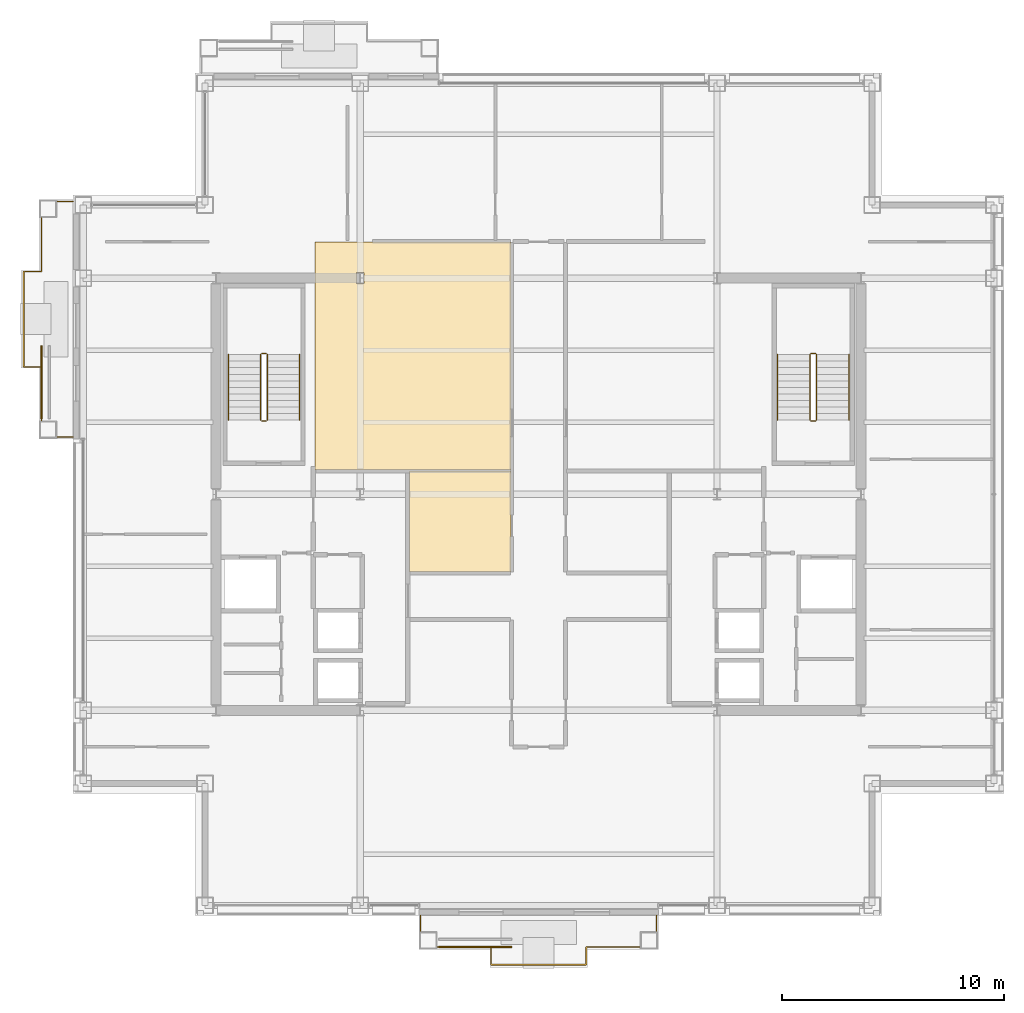
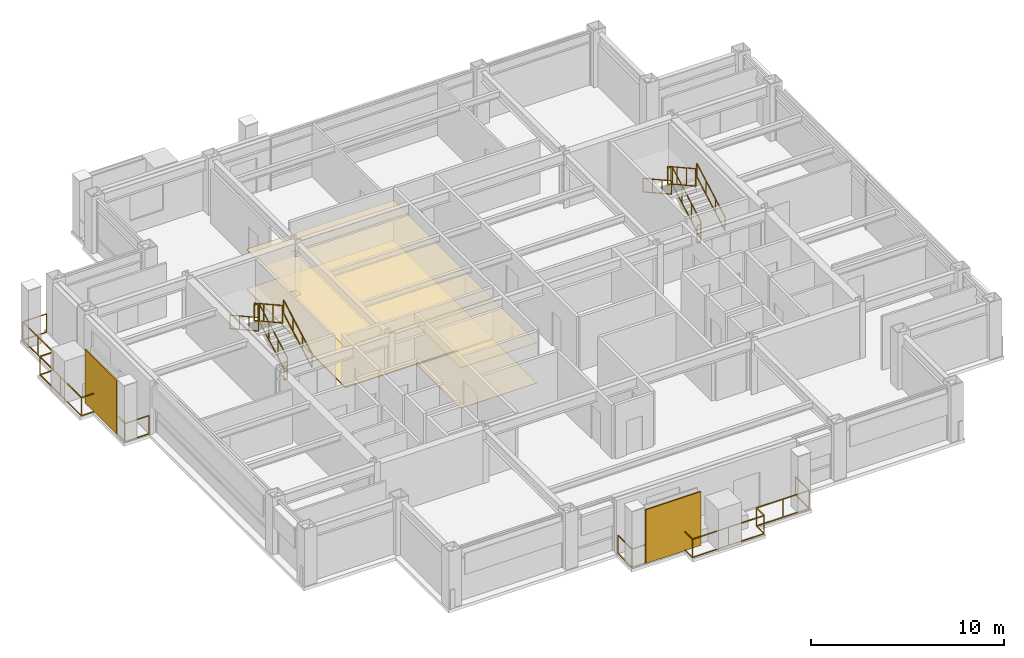
# One storey, part 28 of 30: 14 railings, 4 coverings, 2 shading devices.
"""IFC4 building model written with IfcOpenShell, lengths in metres."""

from ifc_helpers import new_model, si_unit, direction, frame, origin, origin_2d, place, context, subcontext, project, spatial, polyline, rectangle, outline, extrude, material, layer, layer_set, type_object, element, save


model = new_model("IFC4")

# Units and contexts
model_context = context("Model", 3, precision=1e-05, world=origin(), true_north=direction((0.0, 1.0)))
body_context = subcontext(model_context, "Body", "Model", "MODEL_VIEW")
ifc_project = project(units=[si_unit("LENGTHUNIT", "METRE"), si_unit("AREAUNIT", "SQUARE_METRE"), si_unit("VOLUMEUNIT", "CUBIC_METRE"), si_unit("PLANEANGLEUNIT", "RADIAN"), si_unit("MASSUNIT", "GRAM", prefix="KILO")], contexts=[model_context])

# Site, building, storey
site_placement = place(None, origin())
site = spatial("IfcSite", under=ifc_project, at=site_placement, CompositionType="ELEMENT")
building_placement = place(site_placement, origin())
building = spatial("IfcBuilding", under=site, at=building_placement, Name="Brelmoor Portico Tower", CompositionType="ELEMENT")
storey_placement = place(building_placement, frame((0.0, 0.0, 169.5)))
storey = spatial("IfcBuildingStorey", under=building, at=storey_placement, Name="L44", CompositionType="ELEMENT", Elevation=169.5)

# Coverings
ifc_material_1 = material(Name="Perforated Mineral-Fibre Acoustic Ceiling Tile", Category="gypsum")
ifc_layer_1 = layer(ifc_material_1, 0.02490234375)
ifc_layer_set_1 = layer_set([ifc_layer_1], Name="Perforated Mineral-Fibre Acoustic Ceiling Tile")
covering_type_1 = type_object("IfcCoveringType", Name="CV-CEIL-GYPSUM-25", PredefinedType="CEILING", material=ifc_layer_set_1)
covering_1_placement = place(storey_placement, frame((0.0, 0.0, 2.550048828125)))
element("IfcCovering", 1, at=covering_1_placement, inside=storey, type_object=covering_type_1, Name="L44 Acoustic Suspended Ceiling 01", PredefinedType="CEILING", context=body_context, shape_type="SweptSolid", body=[
    extrude(outline(polyline([(-10.080078125, 11.3798828125), (-1.239990234375, 11.3798828125), (-1.239990234375, 1.090087890625), (-10.080078125, 1.090087890625), (-10.080078125, 11.3798828125)]), holes=[polyline([(-7.875, 9.5), (-7.875, 10.0), (-8.22509765625, 10.0), (-8.22509765625, 9.5), (-7.875, 9.5)])]), origin(), (0.0, 0.0, 1.0), 0.02490234375),
])
ifc_material_2 = material(Name="Micro-Perforated Aluminium Clip-In Ceiling", Category="aluminium")
ifc_layer_2 = layer(ifc_material_2, 0.031982421875)
ifc_layer_set_2 = layer_set([ifc_layer_2], Name="Micro-Perforated Aluminium Clip-In Ceiling")
covering_type_2 = type_object("IfcCoveringType", Name="CV-CEIL-METAL-32", PredefinedType="CEILING", material=ifc_layer_set_2)
covering_2_placement = place(storey_placement, frame((0.0, 0.0, 2.550048828125)))
element("IfcCovering", 2, at=covering_2_placement, inside=storey, type_object=covering_type_2, Name="L44 Acoustic Suspended Ceiling 02", PredefinedType="CEILING", context=body_context, shape_type="SweptSolid", body=[
    extrude(outline(polyline([(-5.820068359375, -3.510009765625), (-5.820068359375, 1.0400390625), (-1.239990234375, 1.0400390625), (-1.239990234375, -3.510009765625), (-5.820068359375, -3.510009765625)])), origin(), (0.0, 0.0, 1.0), 0.031982421875),
])
ifc_material_3 = material(Name="Calcium-Sulphate Raised Access Floor Panel", Category="steel")
ifc_layer_3 = layer(ifc_material_3, 0.06005859375)
ifc_layer_set_3 = layer_set([ifc_layer_3], Name="Calcium-Sulphate Raised Access Floor Panel")
covering_type_3 = type_object("IfcCoveringType", Name="CV-FLR-ACCESS-60", PredefinedType="FLOORING", material=ifc_layer_set_3)
covering_3_placement = place(storey_placement, origin())
element("IfcCovering", 3, at=covering_3_placement, inside=storey, type_object=covering_type_3, Name="L44 Architectural Floor Finish 01", PredefinedType="FLOORING", context=body_context, shape_type="SweptSolid", body=[
    extrude(outline(polyline([(-10.080078125, 11.3798828125), (-1.239990234375, 11.3798828125), (-1.239990234375, 1.090087890625), (-10.080078125, 1.090087890625), (-10.080078125, 11.3798828125)]), holes=[polyline([(-7.875, 9.5), (-7.875, 10.0), (-8.22509765625, 10.0), (-8.22509765625, 9.5), (-7.875, 9.5)])]), origin(), (0.0, 0.0, 1.0), 0.06005859375),
])
ifc_material_4 = material(Name="Solution-Dyed Nylon Acoustic Carpet Tile", Category="textile")
ifc_layer_4 = layer(ifc_material_4, 0.013916015625)
ifc_layer_set_4 = layer_set([ifc_layer_4], Name="Solution-Dyed Nylon Acoustic Carpet Tile")
covering_type_4 = type_object("IfcCoveringType", Name="CV-FLR-CARPET-14", PredefinedType="FLOORING", material=ifc_layer_set_4)
covering_4_placement = place(storey_placement, origin())
element("IfcCovering", 4, at=covering_4_placement, inside=storey, type_object=covering_type_4, Name="L44 Architectural Floor Finish 02", PredefinedType="FLOORING", context=body_context, shape_type="SweptSolid", body=[
    extrude(outline(polyline([(-5.820068359375, -3.510009765625), (-5.820068359375, 1.0400390625), (-1.239990234375, 1.0400390625), (-1.239990234375, -3.510009765625), (-5.820068359375, -3.510009765625)])), origin(), (0.0, 0.0, 1.0), 0.013916015625),
])

# Railings
ifc_material_5 = material(Name="Perforated Pale Champagne Aluminium Fretwork Guard", Category="aluminium")
railing_type_1 = type_object("IfcRailingType", Name="RL-BALUSTRADE-1200", PredefinedType="BALUSTRADE", material=ifc_material_5)
railing_1_placement = place(storey_placement, frame((-5.320068359375, -19.0, 0.0)))
element("IfcRailing", 5, at=railing_1_placement, inside=storey, type_object=railing_type_1, Name="L44 Tree Balcony Fretwork Balustrade S", PredefinedType="BALUSTRADE", context=body_context, shape_type="SweptSolid", body=[
    extrude(rectangle(XDim=0.048095703125, YDim=0.048095703125, at=origin_2d()), frame((0.0, 0.0, 1.17578125), z_axis=(0.0, -1.0, 0.0), x_axis=(1.0, 0.0, 0.0)), (0.0, 0.0, 1.0), 1.429931640625),
    extrude(rectangle(XDim=0.048095703125, YDim=0.048095703125, at=origin_2d()), frame((0.0, 0.0, 0.02392578125), z_axis=(0.0, -1.0, 0.0), x_axis=(1.0, 0.0, 0.0)), (0.0, 0.0, 1.0), 1.429931640625),
    extrude(rectangle(XDim=0.048095703125, YDim=0.048095703125, at=origin_2d()), frame((0.0, -1.429931640625, 1.17578125), z_axis=(1.0, 0.0, 0.0), x_axis=(0.0, 1.0, 0.0)), (0.0, 0.0, 1.0), 3.170166015625),
    extrude(rectangle(XDim=0.048095703125, YDim=0.048095703125, at=origin_2d()), frame((0.0, -1.429931640625, 0.02392578125), z_axis=(1.0, 0.0, 0.0), x_axis=(0.0, 1.0, 0.0)), (0.0, 0.0, 1.0), 3.170166015625),
    extrude(rectangle(XDim=0.048095703125, YDim=0.048095703125, at=origin_2d()), frame((3.170166015625, -1.429931640625, 1.17578125), z_axis=(0.0, -1.0, 0.0), x_axis=(1.0, 0.0, 0.0)), (0.0, 0.0, 1.0), 0.800048828125),
    extrude(rectangle(XDim=0.048095703125, YDim=0.048095703125, at=origin_2d()), frame((3.170166015625, -1.429931640625, 0.02392578125), z_axis=(0.0, -1.0, 0.0), x_axis=(1.0, 0.0, 0.0)), (0.0, 0.0, 1.0), 0.800048828125),
    extrude(rectangle(XDim=0.048095703125, YDim=0.048095703125, at=origin_2d()), frame((3.170166015625, -2.22998046875, 1.17578125), z_axis=(1.0, 0.0, 0.0), x_axis=(0.0, 1.0, 0.0)), (0.0, 0.0, 1.0), 4.2998046875),
    extrude(rectangle(XDim=0.048095703125, YDim=0.048095703125, at=origin_2d()), frame((3.170166015625, -2.22998046875, 0.02392578125), z_axis=(1.0, 0.0, 0.0), x_axis=(0.0, 1.0, 0.0)), (0.0, 0.0, 1.0), 4.2998046875),
    extrude(rectangle(XDim=0.048095703125, YDim=0.048095703125, at=origin_2d()), frame((7.469970703125, -2.22998046875, 1.17578125), z_axis=(0.0, 1.0, 0.0), x_axis=(-1.0, 0.0, 0.0)), (0.0, 0.0, 1.0), 0.800048828125),
    extrude(rectangle(XDim=0.048095703125, YDim=0.048095703125, at=origin_2d()), frame((7.469970703125, -2.22998046875, 0.02392578125), z_axis=(0.0, 1.0, 0.0), x_axis=(-1.0, 0.0, 0.0)), (0.0, 0.0, 1.0), 0.800048828125),
    extrude(rectangle(XDim=0.048095703125, YDim=0.048095703125, at=origin_2d()), frame((7.469970703125, -1.429931640625, 1.17578125), z_axis=(1.0, 0.0, 0.0), x_axis=(0.0, 1.0, 0.0)), (0.0, 0.0, 1.0), 3.170166015625),
    extrude(rectangle(XDim=0.048095703125, YDim=0.048095703125, at=origin_2d()), frame((7.469970703125, -1.429931640625, 0.02392578125), z_axis=(1.0, 0.0, 0.0), x_axis=(0.0, 1.0, 0.0)), (0.0, 0.0, 1.0), 3.170166015625),
    extrude(rectangle(XDim=0.048095703125, YDim=0.048095703125, at=origin_2d()), frame((10.64013671875, -1.429931640625, 1.17578125), z_axis=(0.0, 1.0, 0.0), x_axis=(-1.0, 0.0, 0.0)), (0.0, 0.0, 1.0), 1.429931640625),
    extrude(rectangle(XDim=0.048095703125, YDim=0.048095703125, at=origin_2d()), frame((10.64013671875, -1.429931640625, 0.02392578125), z_axis=(0.0, 1.0, 0.0), x_axis=(-1.0, 0.0, 0.0)), (0.0, 0.0, 1.0), 1.429931640625),
    extrude(rectangle(XDim=0.0419921875, YDim=0.0419921875, at=origin_2d()), origin(), (0.0, 0.0, 1.0), 1.15185546875),
    extrude(rectangle(XDim=0.0419921875, YDim=0.0419921875, at=origin_2d()), frame((0.0, -1.429931640625, 0.0)), (0.0, 0.0, 1.0), 1.15185546875),
    extrude(rectangle(XDim=0.0419921875, YDim=0.0419921875, at=origin_2d()), frame((1.5849609375, -1.429931640625, 0.0)), (0.0, 0.0, 1.0), 1.15185546875),
    extrude(rectangle(XDim=0.0419921875, YDim=0.0419921875, at=origin_2d()), frame((3.170166015625, -1.429931640625, 0.0)), (0.0, 0.0, 1.0), 1.15185546875),
    extrude(rectangle(XDim=0.0419921875, YDim=0.0419921875, at=origin_2d()), frame((3.170166015625, -2.22998046875, 0.0)), (0.0, 0.0, 1.0), 1.15185546875),
    extrude(rectangle(XDim=0.0419921875, YDim=0.0419921875, at=origin_2d()), frame((5.320068359375, -2.22998046875, 0.0)), (0.0, 0.0, 1.0), 1.15185546875),
    extrude(rectangle(XDim=0.0419921875, YDim=0.0419921875, at=origin_2d()), frame((7.469970703125, -2.22998046875, 0.0)), (0.0, 0.0, 1.0), 1.15185546875),
    extrude(rectangle(XDim=0.0419921875, YDim=0.0419921875, at=origin_2d()), frame((7.469970703125, -1.429931640625, 0.0)), (0.0, 0.0, 1.0), 1.15185546875),
    extrude(rectangle(XDim=0.0419921875, YDim=0.0419921875, at=origin_2d()), frame((9.05517578125, -1.429931640625, 0.0)), (0.0, 0.0, 1.0), 1.15185546875),
    extrude(rectangle(XDim=0.0419921875, YDim=0.0419921875, at=origin_2d()), frame((10.64013671875, -1.429931640625, 0.0)), (0.0, 0.0, 1.0), 1.15185546875),
    extrude(rectangle(XDim=0.0419921875, YDim=0.0419921875, at=origin_2d()), frame((10.64013671875, 0.0, 0.0)), (0.0, 0.0, 1.0), 1.15185546875),
])
railing_2_placement = place(storey_placement, frame((-21.0, 2.580078125, 0.0)))
element("IfcRailing", 6, at=railing_2_placement, inside=storey, type_object=railing_type_1, Name="L44 Tree Balcony Fretwork Balustrade W", PredefinedType="BALUSTRADE", context=body_context, shape_type="SweptSolid", body=[
    extrude(rectangle(XDim=0.048095703125, YDim=0.048095703125, at=origin_2d()), frame((0.0, 0.0, 1.17578125), z_axis=(-1.0, 0.0, 0.0), x_axis=(0.0, -1.0, 0.0)), (0.0, 0.0, 1.0), 1.429931640625),
    extrude(rectangle(XDim=0.048095703125, YDim=0.048095703125, at=origin_2d()), frame((0.0, 0.0, 0.02392578125), z_axis=(-1.0, 0.0, 0.0), x_axis=(0.0, -1.0, 0.0)), (0.0, 0.0, 1.0), 1.429931640625),
    extrude(rectangle(XDim=0.048095703125, YDim=0.048095703125, at=origin_2d()), frame((-1.429931640625, 0.0, 1.17578125), z_axis=(0.0, 1.0, 0.0), x_axis=(-1.0, 0.0, 0.0)), (0.0, 0.0, 1.0), 3.169921875),
    extrude(rectangle(XDim=0.048095703125, YDim=0.048095703125, at=origin_2d()), frame((-1.429931640625, 0.0, 0.02392578125), z_axis=(0.0, 1.0, 0.0), x_axis=(-1.0, 0.0, 0.0)), (0.0, 0.0, 1.0), 3.169921875),
    extrude(rectangle(XDim=0.048095703125, YDim=0.048095703125, at=origin_2d()), frame((-1.429931640625, 3.169921875, 1.17578125), z_axis=(-1.0, 0.0, 0.0), x_axis=(0.0, -1.0, 0.0)), (0.0, 0.0, 1.0), 0.800048828125),
    extrude(rectangle(XDim=0.048095703125, YDim=0.048095703125, at=origin_2d()), frame((-1.429931640625, 3.169921875, 0.02392578125), z_axis=(-1.0, 0.0, 0.0), x_axis=(0.0, -1.0, 0.0)), (0.0, 0.0, 1.0), 0.800048828125),
    extrude(rectangle(XDim=0.048095703125, YDim=0.048095703125, at=origin_2d()), frame((-2.22998046875, 3.169921875, 1.17578125), z_axis=(0.0, 1.0, 0.0), x_axis=(-1.0, 0.0, 0.0)), (0.0, 0.0, 1.0), 4.300048828125),
    extrude(rectangle(XDim=0.048095703125, YDim=0.048095703125, at=origin_2d()), frame((-2.22998046875, 3.169921875, 0.02392578125), z_axis=(0.0, 1.0, 0.0), x_axis=(-1.0, 0.0, 0.0)), (0.0, 0.0, 1.0), 4.300048828125),
    extrude(rectangle(XDim=0.048095703125, YDim=0.048095703125, at=origin_2d()), frame((-2.22998046875, 7.469970703125, 1.17578125), z_axis=(1.0, 0.0, 0.0), x_axis=(0.0, 1.0, 0.0)), (0.0, 0.0, 1.0), 0.800048828125),
    extrude(rectangle(XDim=0.048095703125, YDim=0.048095703125, at=origin_2d()), frame((-2.22998046875, 7.469970703125, 0.02392578125), z_axis=(1.0, 0.0, 0.0), x_axis=(0.0, 1.0, 0.0)), (0.0, 0.0, 1.0), 0.800048828125),
    extrude(rectangle(XDim=0.048095703125, YDim=0.048095703125, at=origin_2d()), frame((-1.429931640625, 7.469970703125, 1.17578125), z_axis=(0.0, 1.0, 0.0), x_axis=(-1.0, 0.0, 0.0)), (0.0, 0.0, 1.0), 3.169921875),
    extrude(rectangle(XDim=0.048095703125, YDim=0.048095703125, at=origin_2d()), frame((-1.429931640625, 7.469970703125, 0.02392578125), z_axis=(0.0, 1.0, 0.0), x_axis=(-1.0, 0.0, 0.0)), (0.0, 0.0, 1.0), 3.169921875),
    extrude(rectangle(XDim=0.048095703125, YDim=0.048095703125, at=origin_2d()), frame((-1.429931640625, 10.639892578125, 1.17578125), z_axis=(1.0, 0.0, 0.0), x_axis=(0.0, 1.0, 0.0)), (0.0, 0.0, 1.0), 1.429931640625),
    extrude(rectangle(XDim=0.048095703125, YDim=0.048095703125, at=origin_2d()), frame((-1.429931640625, 10.639892578125, 0.02392578125), z_axis=(1.0, 0.0, 0.0), x_axis=(0.0, 1.0, 0.0)), (0.0, 0.0, 1.0), 1.429931640625),
    extrude(rectangle(XDim=0.0419921875, YDim=0.0419921875, at=origin_2d()), origin(), (0.0, 0.0, 1.0), 1.15185546875),
    extrude(rectangle(XDim=0.0419921875, YDim=0.0419921875, at=origin_2d()), frame((-1.429931640625, 0.0, 0.0)), (0.0, 0.0, 1.0), 1.15185546875),
    extrude(rectangle(XDim=0.0419921875, YDim=0.0419921875, at=origin_2d()), frame((-1.429931640625, 1.5849609375, 0.0)), (0.0, 0.0, 1.0), 1.15185546875),
    extrude(rectangle(XDim=0.0419921875, YDim=0.0419921875, at=origin_2d()), frame((-1.429931640625, 3.169921875, 0.0)), (0.0, 0.0, 1.0), 1.15185546875),
    extrude(rectangle(XDim=0.0419921875, YDim=0.0419921875, at=origin_2d()), frame((-2.22998046875, 3.169921875, 0.0)), (0.0, 0.0, 1.0), 1.15185546875),
    extrude(rectangle(XDim=0.0419921875, YDim=0.0419921875, at=origin_2d()), frame((-2.22998046875, 5.31982421875, 0.0)), (0.0, 0.0, 1.0), 1.15185546875),
    extrude(rectangle(XDim=0.0419921875, YDim=0.0419921875, at=origin_2d()), frame((-2.22998046875, 7.469970703125, 0.0)), (0.0, 0.0, 1.0), 1.15185546875),
    extrude(rectangle(XDim=0.0419921875, YDim=0.0419921875, at=origin_2d()), frame((-1.429931640625, 7.469970703125, 0.0)), (0.0, 0.0, 1.0), 1.15185546875),
    extrude(rectangle(XDim=0.0419921875, YDim=0.0419921875, at=origin_2d()), frame((-1.429931640625, 9.054931640625, 0.0)), (0.0, 0.0, 1.0), 1.15185546875),
    extrude(rectangle(XDim=0.0419921875, YDim=0.0419921875, at=origin_2d()), frame((-1.429931640625, 10.639892578125, 0.0)), (0.0, 0.0, 1.0), 1.15185546875),
    extrude(rectangle(XDim=0.0419921875, YDim=0.0419921875, at=origin_2d()), frame((0.0, 10.639892578125, 0.0)), (0.0, 0.0, 1.0), 1.15185546875),
])
ifc_material_6 = material(Name="Painted Tubular Steel Q235B", Category="steel")
railing_type_2 = type_object("IfcRailingType", Name="RL-STAIR-GUARD", PredefinedType="GUARDRAIL", material=ifc_material_6)
railing_3_placement = place(storey_placement, frame((-12.239990234375, 3.35009765625, 0.16357421875)))
element("IfcRailing", 7, at=railing_3_placement, inside=storey, type_object=railing_type_2, Name="L44 ST-W stair guard 1", PredefinedType="GUARDRAIL", context=body_context, shape_type="SweptSolid", body=[
    extrude(rectangle(XDim=0.048095703125, YDim=0.048095703125, at=origin_2d()), frame((0.0, 0.0, 1.1259765625), z_axis=(0.0, 0.874457516365, 0.485102104791), x_axis=(-1.0, 0.0, 0.0)), (0.0, 0.0, 1.0), 3.37353515625),
    extrude(rectangle(XDim=0.048095703125, YDim=0.048095703125, at=origin_2d()), frame((0.0, 0.0, 0.02392578125), z_axis=(0.0, 0.874457516365, 0.485102104791), x_axis=(-1.0, 0.0, 0.0)), (0.0, 0.0, 1.0), 3.37353515625),
    extrude(rectangle(XDim=0.0419921875, YDim=0.0419921875, at=origin_2d()), origin(), (0.0, 0.0, 1.0), 1.101806640625),
    extrude(rectangle(XDim=0.0419921875, YDim=0.0419921875, at=origin_2d()), frame((0.0, 0.9833984375, 0.54541015625)), (0.0, 0.0, 1.0), 1.101806640625),
    extrude(rectangle(XDim=0.0419921875, YDim=0.0419921875, at=origin_2d()), frame((0.0, 1.966552734375, 1.091064453125)), (0.0, 0.0, 1.0), 1.101806640625),
    extrude(rectangle(XDim=0.0419921875, YDim=0.0419921875, at=origin_2d()), frame((0.0, 2.949951171875, 1.636474609375)), (0.0, 0.0, 1.0), 1.101806640625),
])
railing_4_placement = place(storey_placement, frame((-12.2900390625, 6.35009765625, 1.800048828125)))
element("IfcRailing", 8, at=railing_4_placement, inside=storey, type_object=railing_type_2, Name="L44 ST-W stair guard 2", PredefinedType="GUARDRAIL", context=body_context, shape_type="SweptSolid", body=[
    extrude(rectangle(XDim=0.048095703125, YDim=0.048095703125, at=origin_2d()), frame((0.0, 0.0, 1.1259765625), z_axis=(-1.0, 0.0, 0.0), x_axis=(0.0, -1.0, 0.0)), (0.0, 0.0, 1.0), 0.199951171875),
    extrude(rectangle(XDim=0.048095703125, YDim=0.048095703125, at=origin_2d()), frame((0.0, 0.0, 0.02392578125), z_axis=(-1.0, 0.0, 0.0), x_axis=(0.0, -1.0, 0.0)), (0.0, 0.0, 1.0), 0.199951171875),
    extrude(rectangle(XDim=0.0419921875, YDim=0.0419921875, at=origin_2d()), origin(), (0.0, 0.0, 1.0), 1.101806640625),
    extrude(rectangle(XDim=0.0419921875, YDim=0.0419921875, at=origin_2d()), frame((-0.199951171875, 0.0, 0.0)), (0.0, 0.0, 1.0), 1.101806640625),
])
railing_5_placement = place(storey_placement, frame((-12.5400390625, 6.300048828125, 1.963623046875)))
element("IfcRailing", 9, at=railing_5_placement, inside=storey, type_object=railing_type_2, Name="L44 ST-W stair guard 3", PredefinedType="GUARDRAIL", context=body_context, shape_type="SweptSolid", body=[
    extrude(rectangle(XDim=0.048095703125, YDim=0.048095703125, at=origin_2d()), frame((0.0, 0.0, 1.1259765625), z_axis=(0.0, -0.874457516365, 0.485102104791), x_axis=(1.0, 0.0, 0.0)), (0.0, 0.0, 1.0), 3.37353515625),
    extrude(rectangle(XDim=0.048095703125, YDim=0.048095703125, at=origin_2d()), frame((0.0, 0.0, 0.02392578125), z_axis=(0.0, -0.874457516365, 0.485102104791), x_axis=(1.0, 0.0, 0.0)), (0.0, 0.0, 1.0), 3.37353515625),
    extrude(rectangle(XDim=0.0419921875, YDim=0.0419921875, at=origin_2d()), origin(), (0.0, 0.0, 1.0), 1.101806640625),
    extrude(rectangle(XDim=0.0419921875, YDim=0.0419921875, at=origin_2d()), frame((0.0, -0.9833984375, 0.54541015625)), (0.0, 0.0, 1.0), 1.101806640625),
    extrude(rectangle(XDim=0.0419921875, YDim=0.0419921875, at=origin_2d()), frame((0.0, -1.966552734375, 1.091064453125)), (0.0, 0.0, 1.0), 1.101806640625),
    extrude(rectangle(XDim=0.0419921875, YDim=0.0419921875, at=origin_2d()), frame((0.0, -2.949951171875, 1.636474609375)), (0.0, 0.0, 1.0), 1.101806640625),
])
railing_6_placement = place(storey_placement, frame((-12.2900390625, 3.300048828125, 0.0)))
element("IfcRailing", 10, at=railing_6_placement, inside=storey, type_object=railing_type_2, Name="L44 ST-W stair guard 4", PredefinedType="GUARDRAIL", context=body_context, shape_type="SweptSolid", body=[
    extrude(rectangle(XDim=0.048095703125, YDim=0.048095703125, at=origin_2d()), frame((0.0, 0.0, 1.1259765625), z_axis=(-1.0, 0.0, 0.0), x_axis=(0.0, -1.0, 0.0)), (0.0, 0.0, 1.0), 0.199951171875),
    extrude(rectangle(XDim=0.048095703125, YDim=0.048095703125, at=origin_2d()), frame((0.0, 0.0, 0.02392578125), z_axis=(-1.0, 0.0, 0.0), x_axis=(0.0, -1.0, 0.0)), (0.0, 0.0, 1.0), 0.199951171875),
    extrude(rectangle(XDim=0.0419921875, YDim=0.0419921875, at=origin_2d()), origin(), (0.0, 0.0, 1.0), 1.101806640625),
    extrude(rectangle(XDim=0.0419921875, YDim=0.0419921875, at=origin_2d()), frame((-0.199951171875, 0.0, 0.0)), (0.0, 0.0, 1.0), 1.101806640625),
])
railing_7_placement = place(storey_placement, frame((12.5400390625, 3.35009765625, 0.16357421875)))
element("IfcRailing", 11, at=railing_7_placement, inside=storey, type_object=railing_type_2, Name="L44 ST-E stair guard 1", PredefinedType="GUARDRAIL", context=body_context, shape_type="SweptSolid", body=[
    extrude(rectangle(XDim=0.048095703125, YDim=0.048095703125, at=origin_2d()), frame((0.0, 0.0, 1.1259765625), z_axis=(0.0, 0.874457516365, 0.485102104791), x_axis=(-1.0, 0.0, 0.0)), (0.0, 0.0, 1.0), 3.37353515625),
    extrude(rectangle(XDim=0.048095703125, YDim=0.048095703125, at=origin_2d()), frame((0.0, 0.0, 0.02392578125), z_axis=(0.0, 0.874457516365, 0.485102104791), x_axis=(-1.0, 0.0, 0.0)), (0.0, 0.0, 1.0), 3.37353515625),
    extrude(rectangle(XDim=0.0419921875, YDim=0.0419921875, at=origin_2d()), origin(), (0.0, 0.0, 1.0), 1.101806640625),
    extrude(rectangle(XDim=0.0419921875, YDim=0.0419921875, at=origin_2d()), frame((0.0, 0.9833984375, 0.54541015625)), (0.0, 0.0, 1.0), 1.101806640625),
    extrude(rectangle(XDim=0.0419921875, YDim=0.0419921875, at=origin_2d()), frame((0.0, 1.966552734375, 1.091064453125)), (0.0, 0.0, 1.0), 1.101806640625),
    extrude(rectangle(XDim=0.0419921875, YDim=0.0419921875, at=origin_2d()), frame((0.0, 2.949951171875, 1.636474609375)), (0.0, 0.0, 1.0), 1.101806640625),
])
railing_8_placement = place(storey_placement, frame((12.489990234375, 6.35009765625, 1.800048828125)))
element("IfcRailing", 12, at=railing_8_placement, inside=storey, type_object=railing_type_2, Name="L44 ST-E stair guard 2", PredefinedType="GUARDRAIL", context=body_context, shape_type="SweptSolid", body=[
    extrude(rectangle(XDim=0.048095703125, YDim=0.048095703125, at=origin_2d()), frame((0.0, 0.0, 1.1259765625), z_axis=(-1.0, 0.0, 0.0), x_axis=(0.0, -1.0, 0.0)), (0.0, 0.0, 1.0), 0.199951171875),
    extrude(rectangle(XDim=0.048095703125, YDim=0.048095703125, at=origin_2d()), frame((0.0, 0.0, 0.02392578125), z_axis=(-1.0, 0.0, 0.0), x_axis=(0.0, -1.0, 0.0)), (0.0, 0.0, 1.0), 0.199951171875),
    extrude(rectangle(XDim=0.0419921875, YDim=0.0419921875, at=origin_2d()), origin(), (0.0, 0.0, 1.0), 1.101806640625),
    extrude(rectangle(XDim=0.0419921875, YDim=0.0419921875, at=origin_2d()), frame((-0.199951171875, 0.0, 0.0)), (0.0, 0.0, 1.0), 1.101806640625),
])
railing_9_placement = place(storey_placement, frame((12.239990234375, 6.300048828125, 1.963623046875)))
element("IfcRailing", 13, at=railing_9_placement, inside=storey, type_object=railing_type_2, Name="L44 ST-E stair guard 3", PredefinedType="GUARDRAIL", context=body_context, shape_type="SweptSolid", body=[
    extrude(rectangle(XDim=0.048095703125, YDim=0.048095703125, at=origin_2d()), frame((0.0, 0.0, 1.1259765625), z_axis=(0.0, -0.874457516365, 0.485102104791), x_axis=(1.0, 0.0, 0.0)), (0.0, 0.0, 1.0), 3.37353515625),
    extrude(rectangle(XDim=0.048095703125, YDim=0.048095703125, at=origin_2d()), frame((0.0, 0.0, 0.02392578125), z_axis=(0.0, -0.874457516365, 0.485102104791), x_axis=(1.0, 0.0, 0.0)), (0.0, 0.0, 1.0), 3.37353515625),
    extrude(rectangle(XDim=0.0419921875, YDim=0.0419921875, at=origin_2d()), origin(), (0.0, 0.0, 1.0), 1.101806640625),
    extrude(rectangle(XDim=0.0419921875, YDim=0.0419921875, at=origin_2d()), frame((0.0, -0.9833984375, 0.54541015625)), (0.0, 0.0, 1.0), 1.101806640625),
    extrude(rectangle(XDim=0.0419921875, YDim=0.0419921875, at=origin_2d()), frame((0.0, -1.966552734375, 1.091064453125)), (0.0, 0.0, 1.0), 1.101806640625),
    extrude(rectangle(XDim=0.0419921875, YDim=0.0419921875, at=origin_2d()), frame((0.0, -2.949951171875, 1.636474609375)), (0.0, 0.0, 1.0), 1.101806640625),
])
railing_10_placement = place(storey_placement, frame((12.489990234375, 3.300048828125, 0.0)))
element("IfcRailing", 14, at=railing_10_placement, inside=storey, type_object=railing_type_2, Name="L44 ST-E stair guard 4", PredefinedType="GUARDRAIL", context=body_context, shape_type="SweptSolid", body=[
    extrude(rectangle(XDim=0.048095703125, YDim=0.048095703125, at=origin_2d()), frame((0.0, 0.0, 1.1259765625), z_axis=(-1.0, 0.0, 0.0), x_axis=(0.0, -1.0, 0.0)), (0.0, 0.0, 1.0), 0.199951171875),
    extrude(rectangle(XDim=0.048095703125, YDim=0.048095703125, at=origin_2d()), frame((0.0, 0.0, 0.02392578125), z_axis=(-1.0, 0.0, 0.0), x_axis=(0.0, -1.0, 0.0)), (0.0, 0.0, 1.0), 0.199951171875),
    extrude(rectangle(XDim=0.0419921875, YDim=0.0419921875, at=origin_2d()), origin(), (0.0, 0.0, 1.0), 1.101806640625),
    extrude(rectangle(XDim=0.0419921875, YDim=0.0419921875, at=origin_2d()), frame((-0.199951171875, 0.0, 0.0)), (0.0, 0.0, 1.0), 1.101806640625),
])
ifc_material_7 = material(Name="Brushed Stainless Steel 304", Category="steel")
railing_type_3 = type_object("IfcRailingType", Name="RL-STAIR-HANDRAIL", PredefinedType="HANDRAIL", material=ifc_material_7)
railing_11_placement = place(storey_placement, frame((-10.780029296875, 3.35009765625, 0.16357421875)))
element("IfcRailing", 15, at=railing_11_placement, inside=storey, type_object=railing_type_3, Name="L44 ST-W stair handrail 1", PredefinedType="HANDRAIL", context=body_context, shape_type="SweptSolid", body=[
    extrude(rectangle(XDim=0.048095703125, YDim=0.048095703125, at=origin_2d()), frame((0.0, 0.0, 0.8759765625), z_axis=(0.0, 0.874457516365, 0.485102104791), x_axis=(-1.0, 0.0, 0.0)), (0.0, 0.0, 1.0), 3.37353515625),
    extrude(rectangle(XDim=0.048095703125, YDim=0.048095703125, at=origin_2d()), frame((0.0, 0.0, 0.02392578125), z_axis=(0.0, 0.874457516365, 0.485102104791), x_axis=(-1.0, 0.0, 0.0)), (0.0, 0.0, 1.0), 3.37353515625),
    extrude(rectangle(XDim=0.0419921875, YDim=0.0419921875, at=origin_2d()), origin(), (0.0, 0.0, 1.0), 0.851806640625),
    extrude(rectangle(XDim=0.0419921875, YDim=0.0419921875, at=origin_2d()), frame((0.0, 0.9833984375, 0.54541015625)), (0.0, 0.0, 1.0), 0.851806640625),
    extrude(rectangle(XDim=0.0419921875, YDim=0.0419921875, at=origin_2d()), frame((0.0, 1.966552734375, 1.091064453125)), (0.0, 0.0, 1.0), 0.851806640625),
    extrude(rectangle(XDim=0.0419921875, YDim=0.0419921875, at=origin_2d()), frame((0.0, 2.949951171875, 1.636474609375)), (0.0, 0.0, 1.0), 0.851806640625),
])
railing_12_placement = place(storey_placement, frame((-14.0, 6.300048828125, 1.963623046875)))
element("IfcRailing", 16, at=railing_12_placement, inside=storey, type_object=railing_type_3, Name="L44 ST-W stair handrail 2", PredefinedType="HANDRAIL", context=body_context, shape_type="SweptSolid", body=[
    extrude(rectangle(XDim=0.048095703125, YDim=0.048095703125, at=origin_2d()), frame((0.0, 0.0, 0.8759765625), z_axis=(0.0, -0.874457516365, 0.485102104791), x_axis=(1.0, 0.0, 0.0)), (0.0, 0.0, 1.0), 3.37353515625),
    extrude(rectangle(XDim=0.048095703125, YDim=0.048095703125, at=origin_2d()), frame((0.0, 0.0, 0.02392578125), z_axis=(0.0, -0.874457516365, 0.485102104791), x_axis=(1.0, 0.0, 0.0)), (0.0, 0.0, 1.0), 3.37353515625),
    extrude(rectangle(XDim=0.0419921875, YDim=0.0419921875, at=origin_2d()), origin(), (0.0, 0.0, 1.0), 0.851806640625),
    extrude(rectangle(XDim=0.0419921875, YDim=0.0419921875, at=origin_2d()), frame((0.0, -0.9833984375, 0.54541015625)), (0.0, 0.0, 1.0), 0.851806640625),
    extrude(rectangle(XDim=0.0419921875, YDim=0.0419921875, at=origin_2d()), frame((0.0, -1.966552734375, 1.091064453125)), (0.0, 0.0, 1.0), 0.851806640625),
    extrude(rectangle(XDim=0.0419921875, YDim=0.0419921875, at=origin_2d()), frame((0.0, -2.949951171875, 1.636474609375)), (0.0, 0.0, 1.0), 0.851806640625),
])
railing_13_placement = place(storey_placement, frame((14.0, 3.35009765625, 0.16357421875)))
element("IfcRailing", 17, at=railing_13_placement, inside=storey, type_object=railing_type_3, Name="L44 ST-E stair handrail 1", PredefinedType="HANDRAIL", context=body_context, shape_type="SweptSolid", body=[
    extrude(rectangle(XDim=0.048095703125, YDim=0.048095703125, at=origin_2d()), frame((0.0, 0.0, 0.8759765625), z_axis=(0.0, 0.874457516365, 0.485102104791), x_axis=(-1.0, 0.0, 0.0)), (0.0, 0.0, 1.0), 3.37353515625),
    extrude(rectangle(XDim=0.048095703125, YDim=0.048095703125, at=origin_2d()), frame((0.0, 0.0, 0.02392578125), z_axis=(0.0, 0.874457516365, 0.485102104791), x_axis=(-1.0, 0.0, 0.0)), (0.0, 0.0, 1.0), 3.37353515625),
    extrude(rectangle(XDim=0.0419921875, YDim=0.0419921875, at=origin_2d()), origin(), (0.0, 0.0, 1.0), 0.851806640625),
    extrude(rectangle(XDim=0.0419921875, YDim=0.0419921875, at=origin_2d()), frame((0.0, 0.9833984375, 0.54541015625)), (0.0, 0.0, 1.0), 0.851806640625),
    extrude(rectangle(XDim=0.0419921875, YDim=0.0419921875, at=origin_2d()), frame((0.0, 1.966552734375, 1.091064453125)), (0.0, 0.0, 1.0), 0.851806640625),
    extrude(rectangle(XDim=0.0419921875, YDim=0.0419921875, at=origin_2d()), frame((0.0, 2.949951171875, 1.636474609375)), (0.0, 0.0, 1.0), 0.851806640625),
])
railing_14_placement = place(storey_placement, frame((10.780029296875, 6.300048828125, 1.963623046875)))
element("IfcRailing", 18, at=railing_14_placement, inside=storey, type_object=railing_type_3, Name="L44 ST-E stair handrail 2", PredefinedType="HANDRAIL", context=body_context, shape_type="SweptSolid", body=[
    extrude(rectangle(XDim=0.048095703125, YDim=0.048095703125, at=origin_2d()), frame((0.0, 0.0, 0.8759765625), z_axis=(0.0, -0.874457516365, 0.485102104791), x_axis=(1.0, 0.0, 0.0)), (0.0, 0.0, 1.0), 3.37353515625),
    extrude(rectangle(XDim=0.048095703125, YDim=0.048095703125, at=origin_2d()), frame((0.0, 0.0, 0.02392578125), z_axis=(0.0, -0.874457516365, 0.485102104791), x_axis=(1.0, 0.0, 0.0)), (0.0, 0.0, 1.0), 3.37353515625),
    extrude(rectangle(XDim=0.0419921875, YDim=0.0419921875, at=origin_2d()), origin(), (0.0, 0.0, 1.0), 0.851806640625),
    extrude(rectangle(XDim=0.0419921875, YDim=0.0419921875, at=origin_2d()), frame((0.0, -0.9833984375, 0.54541015625)), (0.0, 0.0, 1.0), 0.851806640625),
    extrude(rectangle(XDim=0.0419921875, YDim=0.0419921875, at=origin_2d()), frame((0.0, -1.966552734375, 1.091064453125)), (0.0, 0.0, 1.0), 0.851806640625),
    extrude(rectangle(XDim=0.0419921875, YDim=0.0419921875, at=origin_2d()), frame((0.0, -2.949951171875, 1.636474609375)), (0.0, 0.0, 1.0), 0.851806640625),
])

# Shading devices
ifc_material_8 = material(Name="Powder-Coated Aluminium Shuttered Jalousie", Category="aluminium")
ifc_layer_5 = layer(ifc_material_8, 0.080078125)
ifc_layer_set_5 = layer_set([ifc_layer_5], Name="Powder-Coated Aluminium Shuttered Jalousie")
shading_device_type = type_object("IfcShadingDeviceType", Name="SD-JALOUSIE-LOGGIA", PredefinedType="JALOUSIE", material=ifc_layer_set_5)
for number, where, z_axis, x_axis, name in (
    (19, (-2.85009765625, -20.429931640625, 0.0), (0.0, 0.0, 1.0), (1.0, 0.0, 0.0), "L44 Loggia Shuttered Jalousie S"),
    (20, (-22.429931640625, 5.050048828125, 0.0), (0.0, 0.0, 1.0), (0.0, 1.0, 0.0), "L44 Loggia Shuttered Jalousie W"),
):
    element("IfcShadingDevice", number, at=place(storey_placement, frame(where, z_axis=z_axis, x_axis=x_axis)), inside=storey, type_object=shading_device_type, Name=name, PredefinedType="JALOUSIE", context=body_context, shape_type="SweptSolid", body=[
        extrude(rectangle(XDim=3.300048828125, YDim=0.080078125, at=origin_2d()), origin(), (0.0, 0.0, 1.0), 3.39990234375),
    ])

save(model, "model.ifc")
